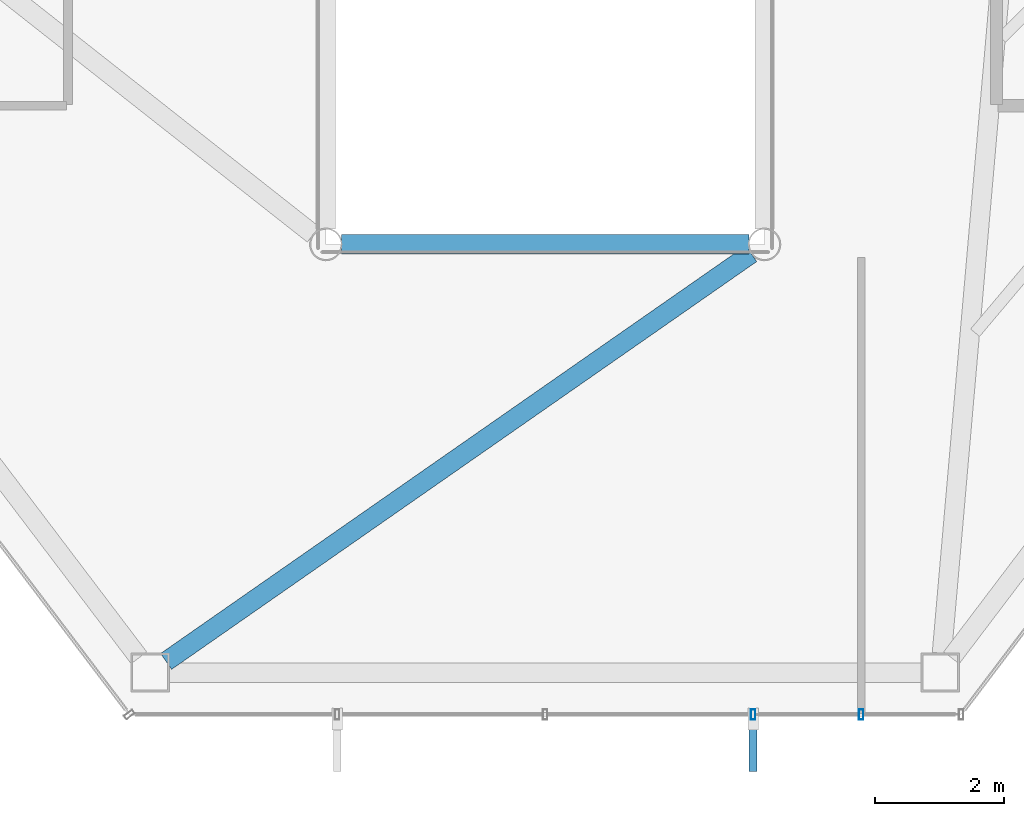
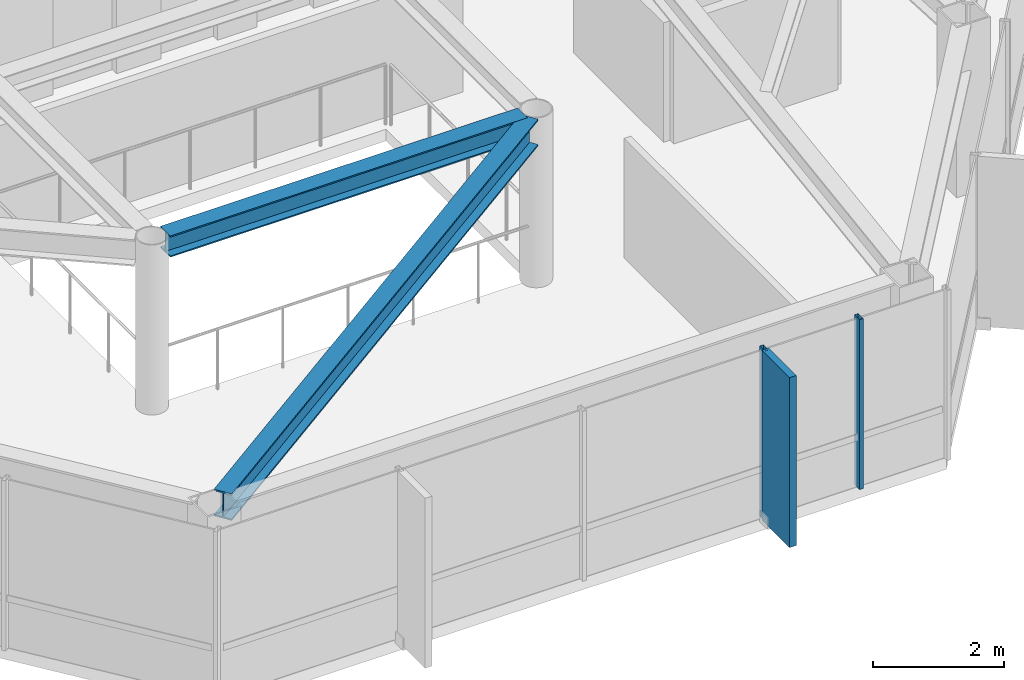
# One storey, part 6 of 25: 3 members, 2 beams, 1 element without a shape of its own.
"""IFC4 building model written with IfcOpenShell, lengths in metres."""

from ifc_helpers import new_model, si_unit, direction, frame, origin, origin_2d, place, context, subcontext, project, spatial, rectangle, hollow_rectangle, i_section, extrude, material, layer, layer_set, material_profile, profile_set, type_object, element, aggregate, save


model = new_model("IFC4")

# Units and contexts
model_context = context("Model", 3, precision=1e-05, world=origin(), true_north=direction((0.0, 1.0)))
body_context = subcontext(model_context, "Body", "Model", "MODEL_VIEW")
ifc_project = project(units=[si_unit("LENGTHUNIT", "METRE"), si_unit("AREAUNIT", "SQUARE_METRE"), si_unit("VOLUMEUNIT", "CUBIC_METRE"), si_unit("PLANEANGLEUNIT", "RADIAN"), si_unit("MASSUNIT", "GRAM", prefix="KILO")], contexts=[model_context])

# Site, building, storey
site_placement = place(None, origin())
site = spatial("IfcSite", under=ifc_project, at=site_placement, CompositionType="ELEMENT")
building_placement = place(site_placement, origin())
building = spatial("IfcBuilding", under=site, at=building_placement, Name="Zarrinselat Tower", CompositionType="ELEMENT")
storey_placement = place(building_placement, frame((0.0, 0.0, 208.760009765625)))
storey = spatial("IfcBuildingStorey", under=building, at=storey_placement, Name="L51", CompositionType="ELEMENT", Elevation=208.760009765625)

# Beams
ifc_material_1 = material(Name="Steel S355J2", Category="steel")
ifc_material_profile_1 = material_profile(ifc_material_1, i_section(OverallWidth=0.300048828125, OverallDepth=0.39990234375, WebThickness=0.013427734375, FlangeThickness=0.02392578125, at=origin_2d()), Name="HEB 400")
ifc_profile_set_1 = profile_set([ifc_material_profile_1], Name="Steel S355J2")
beam_type_1 = type_object("IfcBeamType", Name="BM-HEB400", PredefinedType="BEAM", material=ifc_profile_set_1)
beam_1_placement = place(storey_placement, frame((35.239990234375, 25.199951171875, 2.97998046875), z_axis=(1.0, 0.0, 0.0), x_axis=(0.0, 1.0, 0.0)))
element("IfcBeam", 1, at=beam_1_placement, inside=storey, type_object=beam_type_1, Name="L51 Atrium Edge Beam S", PredefinedType="BEAM", context=body_context, shape_type="SweptSolid", body=[
    extrude(i_section(OverallWidth=0.300048828125, OverallDepth=0.39990234375, WebThickness=0.013427734375, FlangeThickness=0.02392578125, at=origin_2d()), origin(), (0.0, 0.0, 1.0), 6.320068359375),
])
ifc_material_2 = material(Name="Steel S355J2", Category="steel")
ifc_material_profile_2 = material_profile(ifc_material_2, i_section(OverallWidth=0.300048828125, OverallDepth=0.5, WebThickness=0.014404296875, FlangeThickness=0.028076171875, at=origin_2d()), Name="HEB 500")
ifc_profile_set_2 = profile_set([ifc_material_profile_2], Name="Steel S355J2")
beam_type_2 = type_object("IfcBeamType", Name="BM-HEB500", PredefinedType="BEAM", material=ifc_profile_set_2)
beam_2_placement = place(storey_placement, frame((32.521728515625, 18.733154296875, 2.929931640625), z_axis=(0.820400049564, 0.571789960279, 0.0), x_axis=(-0.571789960279, 0.820400049564, 0.0)))
element("IfcBeam", 2, at=beam_2_placement, inside=storey, type_object=beam_type_2, Name="L51 Radial Primary Girder RG10", PredefinedType="BEAM", context=body_context, shape_type="SweptSolid", body=[
    extrude(i_section(OverallWidth=0.300048828125, OverallDepth=0.5, WebThickness=0.014404296875, FlangeThickness=0.028076171875, at=origin_2d()), origin(), (0.0, 0.0, 1.0), 11.0595703125),
])

# Curtain wall, members
ifc_material_3 = material(Name="Extruded Aluminium Alloy EN AW-6063 T6", Category="aluminium")
ifc_layer = layer(ifc_material_3, 0.169921875)
ifc_layer_set = layer_set([ifc_layer], Name="Extruded Aluminium Alloy EN AW-6063 T6")
curtain_wall_type = type_object("IfcCurtainWallType", Name="CWS-RES", PredefinedType="NOTDEFINED", material=ifc_layer_set)
curtain_wall_placement = place(storey_placement, origin())
curtain_wall = element("IfcCurtainWall", 3, at=curtain_wall_placement, inside=storey, type_object=curtain_wall_type, Name="L51 Unitised Curtain Wall CW-L51-E04", PredefinedType="NOTDEFINED")
ifc_material_4 = material(Name="Extruded Aluminium Alloy EN AW-6063 T6", Category="aluminium")
ifc_material_profile_3 = material_profile(ifc_material_4, hollow_rectangle(XDim=0.070068359375, YDim=0.159912109375, WallThickness=0.00390625, at=origin_2d()), Name="RHS 160x70x4")
ifc_profile_set_3 = profile_set([ifc_material_profile_3], Name="Extruded Aluminium Alloy EN AW-6063 T6")
member_type_1 = type_object("IfcMemberType", Name="MEM-CW-MUL2", PredefinedType="MULLION", material=ifc_profile_set_3)
member_1_placement = place(storey_placement, frame((41.62451171875, 17.910400390625, 0.0), z_axis=(0.0, 0.0, 1.0), x_axis=(1.0, 0.0, 0.0)))
member_1 = element("IfcMember", 4, at=member_1_placement, type_object=member_type_1, Name="CW-L51-E04 Mullion 3", PredefinedType="MULLION", context=body_context, shape_type="SweptSolid", body=[
    extrude(hollow_rectangle(XDim=0.070068359375, YDim=0.159912109375, WallThickness=0.00390625, at=origin_2d()), origin(), (0.0, 0.0, 1.0), 3.179931640625),
])
member_2_placement = place(storey_placement, frame((43.300048828125, 17.910400390625, 0.0), z_axis=(0.0, 0.0, 1.0), x_axis=(1.0, 0.0, 0.0)))
member_2 = element("IfcMember", 5, at=member_2_placement, type_object=member_type_1, Name="CW-L51-E04 Mullion 4", PredefinedType="MULLION", context=body_context, shape_type="SweptSolid", body=[
    extrude(hollow_rectangle(XDim=0.070068359375, YDim=0.159912109375, WallThickness=0.00390625, at=origin_2d()), origin(), (0.0, 0.0, 1.0), 3.179931640625),
])
ifc_material_5 = material(Name="Honed Cream Travertine Stone", Category="masonry")
ifc_material_profile_4 = material_profile(ifc_material_5, rectangle(XDim=0.1201171875, YDim=0.85009765625, at=origin_2d()), Name="FIN 850x120")
ifc_profile_set_4 = profile_set([ifc_material_profile_4], Name="Honed Cream Travertine Stone")
member_type_2 = type_object("IfcMemberType", Name="MEM-STONE-FIN", PredefinedType="USERDEFINED", material=ifc_profile_set_4)
member_3_placement = place(storey_placement, frame((41.62451171875, 17.450439453125, 0.0), z_axis=(0.0, 0.0, 1.0), x_axis=(-1.0, 0.0, 0.0)))
member_3 = element("IfcMember", 6, at=member_3_placement, type_object=member_type_2, Name="L51 Stone Shading Fin CW-L51-E04-03", ObjectType="FIN", PredefinedType="USERDEFINED", context=body_context, shape_type="SweptSolid", body=[
    extrude(rectangle(XDim=0.1201171875, YDim=0.85009765625, at=origin_2d()), origin(), (0.0, 0.0, 1.0), 3.179931640625),
])
aggregate(curtain_wall, [member_1, member_3, member_2])

save(model, "model.ifc")
